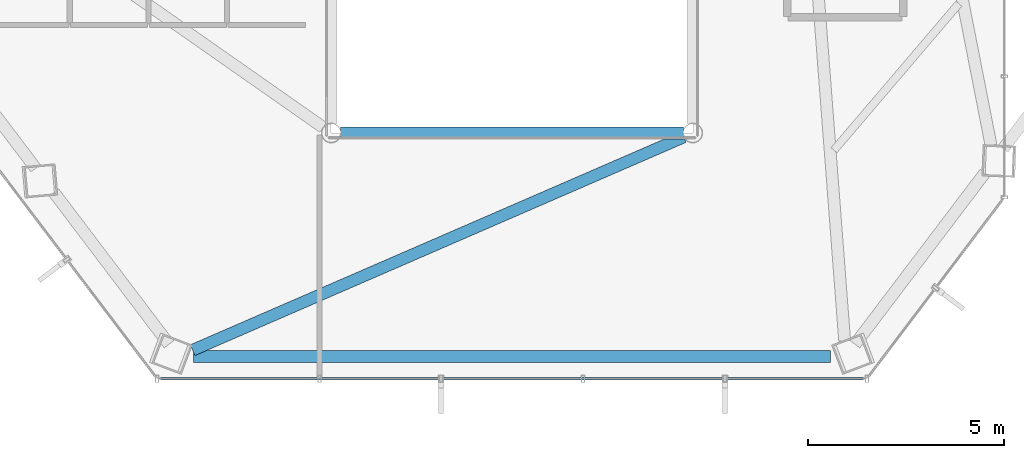
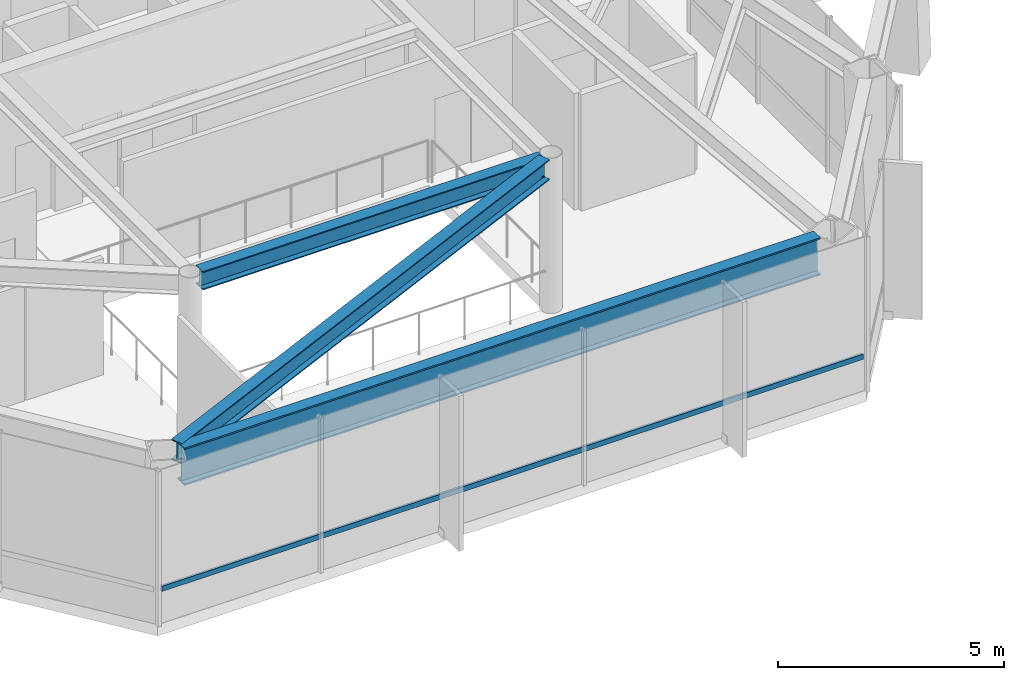
# One storey, part 7 of 25: 3 beams, 1 member, 1 element without a shape of its own.
"""IFC4 building model written with IfcOpenShell, lengths in metres."""

from ifc_helpers import new_model, si_unit, direction, frame, origin, origin_2d, place, context, subcontext, project, spatial, hollow_rectangle, i_section, extrude, material, layer, layer_set, material_profile, profile_set, type_object, element, aggregate, save


model = new_model("IFC4")

# Units and contexts
model_context = context("Model", 3, precision=1e-05, world=origin(), true_north=direction((0.0, 1.0)))
body_context = subcontext(model_context, "Body", "Model", "MODEL_VIEW")
ifc_project = project(units=[si_unit("LENGTHUNIT", "METRE"), si_unit("AREAUNIT", "SQUARE_METRE"), si_unit("VOLUMEUNIT", "CUBIC_METRE"), si_unit("PLANEANGLEUNIT", "RADIAN"), si_unit("MASSUNIT", "GRAM", prefix="KILO")], contexts=[model_context])

# Site, building, storey
site_placement = place(None, origin())
site = spatial("IfcSite", under=ifc_project, at=site_placement, CompositionType="ELEMENT")
building_placement = place(site_placement, origin())
building = spatial("IfcBuilding", under=site, at=building_placement, Name="Zarrinselat Tower", CompositionType="ELEMENT")
storey_placement = place(building_placement, frame((0.0, 0.0, 119.0)))
storey = spatial("IfcBuildingStorey", under=building, at=storey_placement, Name="L28", CompositionType="ELEMENT", Elevation=119.0)

# Beams
ifc_material_1 = material(Name="Steel S355J2", Category="steel")
ifc_material_profile_1 = material_profile(ifc_material_1, i_section(OverallWidth=0.300048828125, OverallDepth=0.5, WebThickness=0.014404296875, FlangeThickness=0.028076171875, at=origin_2d()), Name="HEB 500")
ifc_profile_set_1 = profile_set([ifc_material_profile_1], Name="Steel S355J2")
beam_type_1 = type_object("IfcBeamType", Name="BM-HEB500", PredefinedType="BEAM", material=ifc_profile_set_1)
beam_1_placement = place(storey_placement, frame((34.0400390625, 24.39990234375, 3.929931640625), z_axis=(1.0, 0.0, 0.0), x_axis=(0.0, 1.0, 0.0)))
element("IfcBeam", 1, at=beam_1_placement, inside=storey, type_object=beam_type_1, Name="L28 Atrium Edge Beam S", PredefinedType="BEAM", context=body_context, shape_type="SweptSolid", body=[
    extrude(i_section(OverallWidth=0.300048828125, OverallDepth=0.5, WebThickness=0.014404296875, FlangeThickness=0.028076171875, at=origin_2d()), origin(), (0.0, 0.0, 1.0), 8.719970703125),
])
ifc_material_2 = material(Name="Steel S355J2", Category="steel")
ifc_material_profile_2 = material_profile(ifc_material_2, i_section(OverallWidth=0.300048828125, OverallDepth=0.550048828125, WebThickness=0.014892578125, FlangeThickness=0.029052734375, at=origin_2d()), Name="HEB 550")
ifc_profile_set_2 = profile_set([ifc_material_profile_2], Name="Steel S355J2")
beam_type_2 = type_object("IfcBeamType", Name="BM-HEB550", PredefinedType="BEAM", material=ifc_profile_set_2)
beam_2_placement = place(storey_placement, frame((30.27392578125, 18.87646484375, 3.905029296875), z_axis=(0.917320312977, 0.398150026245, 0.0), x_axis=(-0.398150026245, 0.917320312977, 0.0)))
element("IfcBeam", 2, at=beam_2_placement, inside=storey, type_object=beam_type_2, Name="L28 Radial Primary Girder RG10", PredefinedType="BEAM", context=body_context, shape_type="SweptSolid", body=[
    extrude(i_section(OverallWidth=0.300048828125, OverallDepth=0.550048828125, WebThickness=0.014892578125, FlangeThickness=0.029052734375, at=origin_2d()), origin(), (0.0, 0.0, 1.0), 13.623291015625),
])
ifc_material_3 = material(Name="Steel S460M", Category="steel")
ifc_material_profile_3 = material_profile(ifc_material_3, i_section(OverallWidth=0.302001953125, OverallDepth=1.008056640625, WebThickness=0.02099609375, FlangeThickness=0.0400390625, at=origin_2d()), Name="HEM 1000")
ifc_profile_set_3 = profile_set([ifc_material_profile_3], Name="Steel S460M")
beam_type_3 = type_object("IfcBeamType", Name="BM-HEM1000", PredefinedType="BEAM", material=ifc_profile_set_3)
beam_3_placement = place(storey_placement, frame((30.293212890625, 18.71630859375, 3.676025390625), z_axis=(1.0, 0.0, 0.0), x_axis=(0.0, 1.0, 0.0)))
element("IfcBeam", 3, at=beam_3_placement, inside=storey, type_object=beam_type_3, Name="L28 Perimeter Spandrel Girder SP10", PredefinedType="BEAM", context=body_context, shape_type="SweptSolid", body=[
    extrude(i_section(OverallWidth=0.302001953125, OverallDepth=1.008056640625, WebThickness=0.02099609375, FlangeThickness=0.0400390625, at=origin_2d()), origin(), (0.0, 0.0, 1.0), 16.213623046875),
])

# Curtain wall, member
ifc_material_4 = material(Name="Extruded Aluminium Alloy EN AW-6063 T6", Category="aluminium")
ifc_layer = layer(ifc_material_4, 0.195068359375)
ifc_layer_set = layer_set([ifc_layer], Name="Extruded Aluminium Alloy EN AW-6063 T6")
curtain_wall_type = type_object("IfcCurtainWallType", Name="CWS-GDN", PredefinedType="NOTDEFINED", material=ifc_layer_set)
curtain_wall_placement = place(storey_placement, origin())
curtain_wall = element("IfcCurtainWall", 4, at=curtain_wall_placement, inside=storey, type_object=curtain_wall_type, Name="L28 Unitised Curtain Wall CW-L28-E01", PredefinedType="NOTDEFINED")
ifc_material_5 = material(Name="Extruded Aluminium Alloy EN AW-6063 T6", Category="aluminium")
ifc_material_profile_4 = material_profile(ifc_material_5, hollow_rectangle(XDim=0.06005859375, YDim=0.139892578125, WallThickness=0.00390625, at=origin_2d()), Name="RHS 140x60x4")
ifc_profile_set_4 = profile_set([ifc_material_profile_4], Name="Extruded Aluminium Alloy EN AW-6063 T6")
member_type = type_object("IfcMemberType", Name="MEM-CW-TRN", PredefinedType="USERDEFINED", material=ifc_profile_set_4)
member_placement = place(storey_placement, frame((47.34228515625, 18.147216796875, 0.949951171875), z_axis=(-1.0, 0.0, 0.0), x_axis=(0.0, -1.0, 0.0)))
member = element("IfcMember", 5, at=member_placement, type_object=member_type, Name="CW-L28-E01 Transom 1", ObjectType="TRANSOM", PredefinedType="USERDEFINED", context=body_context, shape_type="SweptSolid", body=[
    extrude(hollow_rectangle(XDim=0.06005859375, YDim=0.139892578125, WallThickness=0.00390625, at=origin_2d()), origin(), (0.0, 0.0, 1.0), 17.884521484375),
])
aggregate(curtain_wall, [member])

save(model, "model.ifc")
